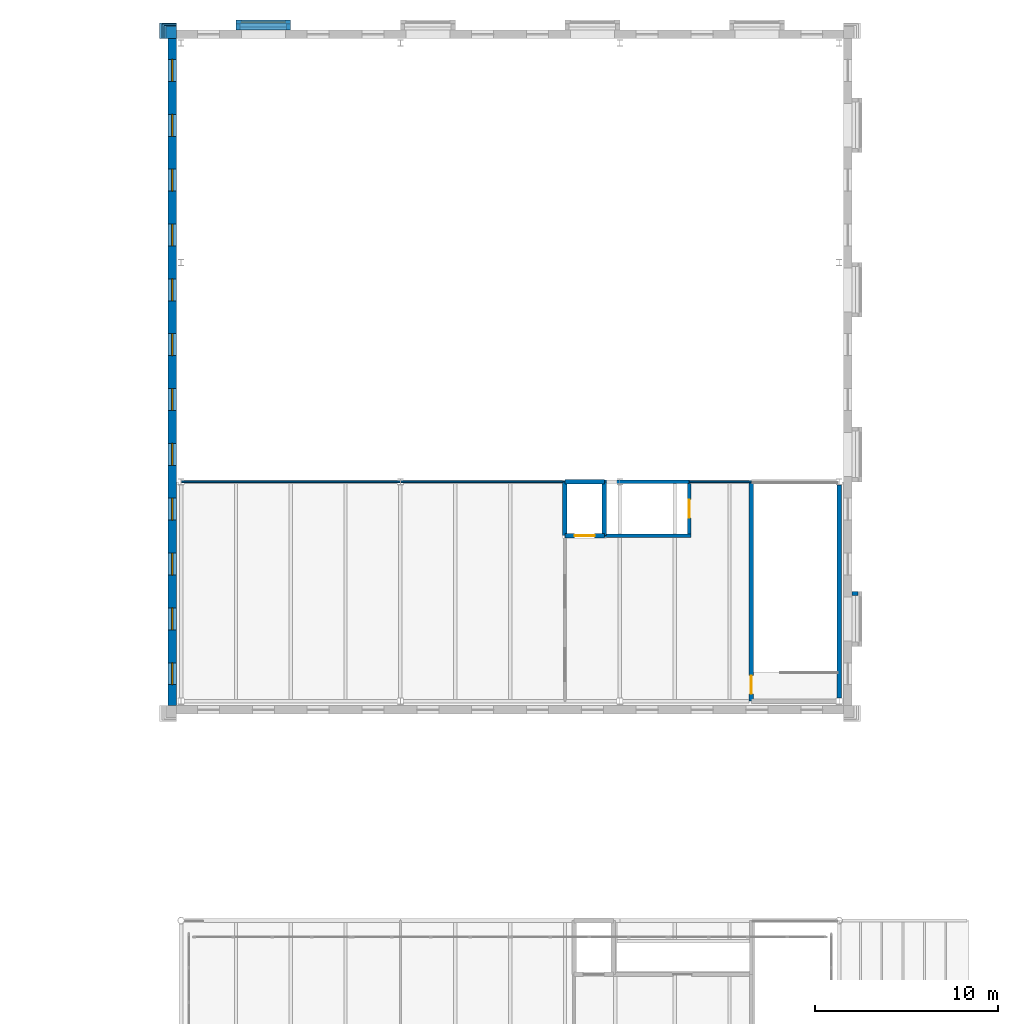
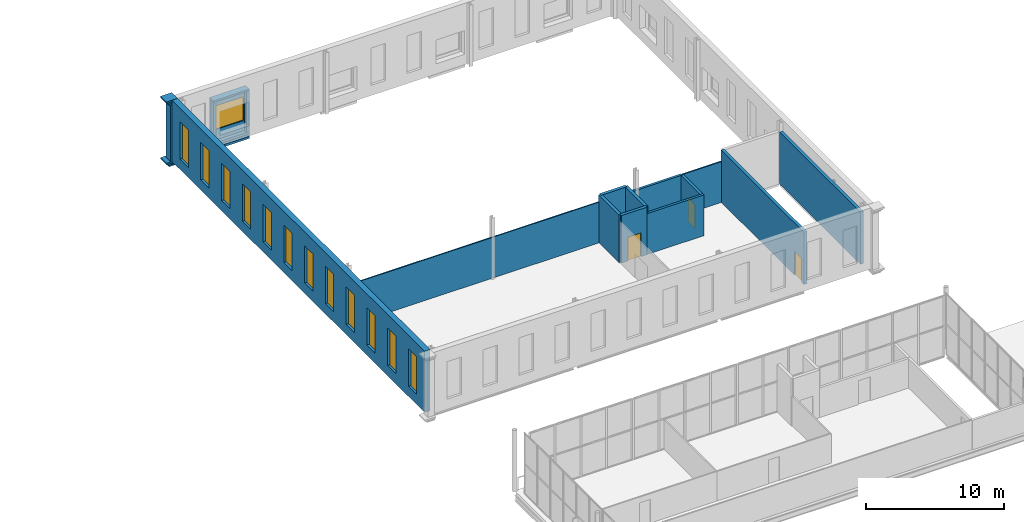
# One storey, part 117 of 170: 27 walls, 13 windows, 3 doors, 16 openings.
"""IFC4 building model written with IfcOpenShell, lengths in metres."""

import ifcopenshell
import ifcopenshell.guid

model = None  # the IFC model being written
_history = None  # IfcOwnerHistory: only IFC2X3 demands one
_inside = {}  # id of a spatial element -> (the spatial element, [elements in it])
_under = {}  # id of a project, library or spatial element -> (it, [spatial elements below it])
_declared = {}  # id of a project -> (the project, [libraries it declares])
_typed = {}  # id of a type object -> (the type object, [elements of that type])
_made_of = {}  # id of a material, layer set ... -> (it, [elements and type objects made of it])


def new_model(schema):
    """Start an empty IFC model of exactly this schema.

    Asked for "IFC4X3", IfcOpenShell would pick the latest addendum, in which some entities
    have other attributes; the version numbers below select the first issue.
    IFC2X3 requires an IfcOwnerHistory on every rooted entity: one is made here for all.
    """
    global model, _history
    if schema == "IFC4X3":
        model = ifcopenshell.file(schema_version=(4, 3, 0, 0))
    else:
        model = ifcopenshell.file(schema=schema)
    _inside.clear()
    _under.clear()
    _declared.clear()
    _typed.clear()
    _made_of.clear()
    _history = None
    if model.schema == "IFC2X3":
        org = make("IfcOrganization", Name="unknown")
        user = make(
            "IfcPersonAndOrganization",
            ThePerson=make("IfcPerson", FamilyName="unknown"),
            TheOrganization=org,
        )
        app = make(
            "IfcApplication",
            ApplicationDeveloper=org,
            Version="unknown",
            ApplicationFullName="unknown",
            ApplicationIdentifier="unknown",
        )
        _history = make(
            "IfcOwnerHistory",
            OwningUser=user,
            OwningApplication=app,
            ChangeAction="ADDED",
            CreationDate=0,
        )
    return model


def make(cls, **values):
    """One entity of the class cls with the attributes given. An attribute that is None is left unset."""
    return model.create_entity(
        cls, **{name: value for name, value in values.items() if value is not None}
    )


def rooted(cls, **values):
    """An entity with a GlobalId (a new one), such as an element, a storey or a relation."""
    return make(cls, GlobalId=ifcopenshell.guid.new(), OwnerHistory=_history, **values)


def si_unit(unit_type, name, prefix=None):
    """IfcSIUnit, for example si_unit("LENGTHUNIT", "METRE", prefix="MILLI")."""
    return make("IfcSIUnit", UnitType=unit_type, Prefix=prefix, Name=name)


def assignment(units):
    """IfcUnitAssignment: the units of a project."""
    return None if units is None else make("IfcUnitAssignment", Units=units)


def point(xyz):
    """IfcCartesianPoint."""
    return None if xyz is None else make("IfcCartesianPoint", Coordinates=xyz)


def direction(xyz):
    """IfcDirection."""
    return None if xyz is None else make("IfcDirection", DirectionRatios=xyz)


def frame(location, z_axis=None, x_axis=None):
    """IfcAxis2Placement3D, a coordinate frame: its origin and axes. An axis left out is left unset."""
    return make(
        "IfcAxis2Placement3D",
        Location=point(location),
        Axis=direction(z_axis),
        RefDirection=direction(x_axis),
    )


def frame_2d(location, x_axis=None):
    """IfcAxis2Placement2D, a coordinate frame in the plane: its origin and x axis."""
    return make(
        "IfcAxis2Placement2D", Location=point(location), RefDirection=direction(x_axis)
    )


def origin():
    """The frame at (0, 0, 0) with its axes left unset."""
    return frame((0.0, 0.0, 0.0))


def place(relative_to, where):
    """IfcLocalPlacement: puts the frame where relative to a parent placement (None: the world)."""
    return make(
        "IfcLocalPlacement", PlacementRelTo=relative_to, RelativePlacement=where
    )


def context(
    kind, dimensions, precision=None, world=None, true_north=None, identifier=None
):
    """IfcGeometricRepresentationContext, for example the 3D "Model" context."""
    return make(
        "IfcGeometricRepresentationContext",
        ContextIdentifier=identifier,
        ContextType=kind,
        CoordinateSpaceDimension=dimensions,
        Precision=precision,
        WorldCoordinateSystem=world,
        TrueNorth=true_north,
    )


def subcontext(parent, identifier, kind, view, scale=None):
    """IfcGeometricRepresentationSubContext, for example "Body" below "Model"."""
    return make(
        "IfcGeometricRepresentationSubContext",
        ContextIdentifier=identifier,
        ContextType=kind,
        ParentContext=parent,
        TargetScale=scale,
        TargetView=view,
    )


def project(units=None, contexts=None):
    """IfcProject with its units and contexts."""
    return rooted(
        "IfcProject",
        Name="project",
        RepresentationContexts=contexts,
        UnitsInContext=assignment(units),
    )


def spatial(cls, under=None, at=None, **own):
    """A site, building, storey or space (cls), placed at a placement, below another one or the project."""
    s = rooted(cls, ObjectPlacement=at, **own)
    if under is not None:
        _under.setdefault(under.id(), (under, []))[1].append(s)
    return s


def profile(cls, at=None, kind="AREA", **sizes):
    """A parametric profile (cls). Its sizes go by their IFC names, for example OverallWidth=200.0."""
    return make(cls, ProfileType=kind, Position=at, **sizes)


def rectangle(**sizes):
    """IfcRectangleProfileDef."""
    return profile("IfcRectangleProfileDef", **sizes)


def extrude(swept, where, along, depth):
    """IfcExtrudedAreaSolid: the profile swept, set in the frame where, extruded along a direction by depth."""
    return make(
        "IfcExtrudedAreaSolid",
        SweptArea=swept,
        Position=where,
        ExtrudedDirection=direction(along),
        Depth=depth,
    )


def shape(context_of_items, identifier, shape_type, items):
    """IfcShapeRepresentation: the items that make up one representation, for example the "Body"."""
    return make(
        "IfcShapeRepresentation",
        ContextOfItems=context_of_items,
        RepresentationIdentifier=identifier,
        RepresentationType=shape_type,
        Items=items,
    )


def material(Name=None, Category=None):
    """IfcMaterial."""
    return make("IfcMaterial", Name=Name, Category=Category)


def layer(
    of_material, thickness, ventilated=None, Name=None, Category=None, Priority=None
):
    """IfcMaterialLayer: one layer of a wall or slab, of a material (None: an air gap)."""
    return make(
        "IfcMaterialLayer",
        Material=of_material,
        LayerThickness=thickness,
        IsVentilated=ventilated,
        Name=Name,
        Category=Category,
        Priority=Priority,
    )


def layer_set(layers, Name=None):
    """IfcMaterialLayerSet."""
    return make("IfcMaterialLayerSet", MaterialLayers=layers, LayerSetName=Name)


def made_of(thing, what):
    """Note that an element or type object is made of a material, layer set ...; save() writes the relation."""
    if what is not None:
        _made_of.setdefault(what.id(), (what, []))[1].append(thing)
    return thing


def type_object(cls, material=None, **own):
    """A type object (cls), such as IfcWallType, which elements share."""
    return made_of(rooted(cls, **own), material)


def element(
    cls,
    number,
    at=None,
    inside=None,
    cuts=None,
    type_object=None,
    material=None,
    context=None,
    identifier="Body",
    shape_type=None,
    held_by="IfcProductDefinitionShape",
    body=None,
    shapes=None,
    **own,
):
    """One element of the class cls, such as IfcWall. Its Tag is "e" and its number.

    at: its placement. inside: the storey or other place that contains it. cuts: it is an
    opening in that element (IfcRelVoidsElement). A single representation is given by context,
    identifier, shape_type and body (its items); several are given by shapes. held_by: the class
    of the entity that holds the representations. save() writes the other relations.
    """
    e = rooted(cls, Tag="e%d" % number, ObjectPlacement=at, **own)
    if body is not None:
        shapes = [shape(context, identifier, shape_type, body)]
    if shapes is not None:
        e.Representation = make(held_by, Representations=shapes)
    if inside is not None:
        _inside.setdefault(inside.id(), (inside, []))[1].append(e)
    if cuts is not None:
        rooted(
            "IfcRelVoidsElement", RelatingBuildingElement=cuts, RelatedOpeningElement=e
        )
    if type_object is not None:
        _typed.setdefault(type_object.id(), (type_object, []))[1].append(e)
    return made_of(e, material)


def fill(opening, filler):
    """IfcRelFillsElement: the door or window that sits in an opening."""
    return rooted(
        "IfcRelFillsElement",
        RelatingOpeningElement=opening,
        RelatedBuildingElement=filler,
    )


def aggregate(whole, parts):
    """IfcRelAggregates: a whole, such as a stair, and the parts it consists of."""
    return rooted("IfcRelAggregates", RelatingObject=whole, RelatedObjects=parts)


def save(model, path):
    """Write the relations noted so far, then the file.

    IfcRelAggregates (storeys below a building ...), IfcRelContainedInSpatialStructure (elements
    in a storey), IfcRelDefinesByType, IfcRelAssociatesMaterial and IfcRelDeclares: one each for
    every whole, place, type object, material and project.
    """
    for whole, parts in _under.values():
        aggregate(whole, parts)
    for where, things in _inside.values():
        rooted(
            "IfcRelContainedInSpatialStructure",
            RelatedElements=things,
            RelatingStructure=where,
        )
    for kind, things in _typed.values():
        rooted("IfcRelDefinesByType", RelatedObjects=things, RelatingType=kind)
    for what, things in _made_of.values():
        rooted("IfcRelAssociatesMaterial", RelatedObjects=things, RelatingMaterial=what)
    for by, libraries in _declared.values():
        rooted("IfcRelDeclares", RelatingContext=by, RelatedDefinitions=libraries)
    model.write(path)


model = new_model("IFC4")

# Units and contexts
model_context = context("Model", 3, precision=1e-05, world=origin(), true_north=direction((0.0, 1.0)))
body_context = subcontext(model_context, "Body", "Model", "MODEL_VIEW")
ifc_project = project(units=[si_unit("LENGTHUNIT", "METRE"), si_unit("AREAUNIT", "SQUARE_METRE"), si_unit("VOLUMEUNIT", "CUBIC_METRE"), si_unit("PLANEANGLEUNIT", "RADIAN"), si_unit("MASSUNIT", "GRAM", prefix="KILO")], contexts=[model_context])

# Site, building, storey
site_placement = place(None, origin())
site = spatial("IfcSite", under=ifc_project, at=site_placement, CompositionType="ELEMENT")
building_placement = place(site_placement, origin())
building = spatial("IfcBuilding", under=site, at=building_placement, Name="Ravi Spectrum Wholesale Market", CompositionType="ELEMENT")
storey_placement = place(building_placement, frame((0.0, 0.0, 5.39990234375)))
storey = spatial("IfcBuildingStorey", under=building, at=storey_placement, Name="L01", CompositionType="ELEMENT", Elevation=5.39990234375)

# Walls
ifc_material_1 = material(Name="Concrete blockwork", Category="masonry")
ifc_layer_1 = layer(ifc_material_1, 0.199951171875)
ifc_layer_set_1 = layer_set([ifc_layer_1], Name="Concrete blockwork")
wall_type_1 = type_object("IfcWallType", Name="Blockwork partition 200 fire", PredefinedType="PARTITIONING", material=ifc_layer_set_1)
wall_1_placement = place(storey_placement, frame((185.14990234375, 207.050048828125, 0.0), z_axis=(0.0, 0.0, 1.0), x_axis=(1.0, 0.0, 0.0)))
element("IfcWall", 1, at=wall_1_placement, inside=storey, type_object=wall_type_1, Name="AU-WL-L01-093", PredefinedType="PARTITIONING", context=body_context, shape_type="SweptSolid", body=[
    extrude(rectangle(XDim=4.75, YDim=0.199951171875, at=frame_2d((2.375, 0.0))), origin(), (0.0, 0.0, 1.0), 3.60009765625),
])
wall_2_placement = place(storey_placement, frame((185.14990234375, 210.0, 0.0), z_axis=(0.0, 0.0, 1.0), x_axis=(1.0, 0.0, 0.0)))
element("IfcWall", 2, at=wall_2_placement, inside=storey, type_object=wall_type_1, Name="AU-WL-L01-095", PredefinedType="PARTITIONING", context=body_context, shape_type="SweptSolid", body=[
    extrude(rectangle(XDim=4.650146484375, YDim=0.199951171875, at=frame_2d((2.3251953125, 0.0))), origin(), (0.0, 0.0, 1.0), 3.60009765625),
])

# Wall, opening, door
wall_3_placement = place(storey_placement, frame((189.800048828125, 207.14990234375, 0.0), z_axis=(0.0, 0.0, 1.0), x_axis=(0.0, 1.0, 0.0)))
wall_3 = element("IfcWall", 3, at=wall_3_placement, inside=storey, type_object=wall_type_1, Name="AU-WL-L01-098", PredefinedType="PARTITIONING", context=body_context, shape_type="SweptSolid", body=[
    extrude(rectangle(XDim=2.75, YDim=0.199951171875, at=frame_2d((1.375, 0.0))), origin(), (0.0, 0.0, 1.0), 3.60009765625),
])
opening_1_placement = place(wall_3_placement, frame((0.875, 0.0, 0.0)))
opening_1 = element("IfcOpeningElement", 4, at=opening_1_placement, cuts=wall_3, Name="Opening D426", PredefinedType="OPENING", context=body_context, shape_type="SweptSolid", body=[
    extrude(rectangle(XDim=1.0, YDim=2.10009765625, at=frame_2d((0.5, 1.050048828125))), frame((0.0, 0.10986328125, 0.0), z_axis=(0.0, -1.0, 0.0), x_axis=(1.0, 0.0, 0.0)), (0.0, 0.0, 1.0), 0.219970703125),
])
ifc_material_2 = material(Name="Steel door", Category="steel")
door_type_1 = type_object("IfcDoorType", Name="Plant room door 1000 x 2100", OperationType="SINGLE_SWING_LEFT", PredefinedType="DOOR", material=ifc_material_2)
door_1_placement = place(opening_1_placement, origin())
door_1 = element("IfcDoor", 5, at=door_1_placement, inside=storey, type_object=door_type_1, Name="Riser access door D426", OperationType="SINGLE_SWING_LEFT", OverallHeight=2.10009765625, OverallWidth=1.0, PredefinedType="DOOR", context=body_context, shape_type="SweptSolid", body=[
    extrude(rectangle(XDim=1.0, YDim=2.10009765625, at=frame_2d((0.5, 1.050048828125))), frame((0.0, 0.02490234375, 0.0), z_axis=(0.0, -1.0, 0.0), x_axis=(1.0, 0.0, 0.0)), (0.0, 0.0, 1.0), 0.050048828125),
])
fill(opening_1, door_1)

# Wall, openings, windows
ifc_material_3 = material(Name="Clinker brickwork", Category="masonry")
ifc_layer_2 = layer(ifc_material_3, 0.4599609375)
ifc_layer_set_2 = layer_set([ifc_layer_2], Name="Clinker brickwork")
wall_type_2 = type_object("IfcWallType", Name="Brick 460 pier wall", PredefinedType="SOLIDWALL", material=ifc_layer_set_2)
wall_4_placement = place(storey_placement, frame((161.52001953125, 234.25, 0.0), z_axis=(0.0, 0.0, 1.0), x_axis=(0.0, -1.0, 0.0)))
wall_4 = element("IfcWall", 6, at=wall_4_placement, inside=storey, type_object=wall_type_2, Name="AU-WL-L01-092", PredefinedType="SOLIDWALL", context=body_context, shape_type="SweptSolid", body=[
    extrude(rectangle(XDim=36.5, YDim=0.4599609375, at=frame_2d((18.25, 0.0))), origin(), (0.0, 0.0, 1.0), 5.400146484375),
])
opening_2_placement = place(wall_4_placement, frame((1.14990234375, 0.0, 0.89990234375)))
opening_2 = element("IfcOpeningElement", 7, at=opening_2_placement, cuts=wall_4, Name="Opening W2469", PredefinedType="OPENING", context=body_context, shape_type="SweptSolid", body=[
    extrude(rectangle(XDim=1.199951171875, YDim=3.300048828125, at=frame_2d((0.60009765625, 1.64990234375))), frame((0.0, 0.239990234375, 0.0), z_axis=(0.0, -1.0, 0.0), x_axis=(1.0, 0.0, 0.0)), (0.0, 0.0, 1.0), 0.47998046875),
])
opening_3_placement = place(wall_4_placement, frame((4.14990234375, 0.0, 0.89990234375)))
opening_3 = element("IfcOpeningElement", 8, at=opening_3_placement, cuts=wall_4, Name="Opening W2470", PredefinedType="OPENING", context=body_context, shape_type="SweptSolid", body=[
    extrude(rectangle(XDim=1.199951171875, YDim=3.300048828125, at=frame_2d((0.60009765625, 1.64990234375))), frame((0.0, 0.239990234375, 0.0), z_axis=(0.0, -1.0, 0.0), x_axis=(1.0, 0.0, 0.0)), (0.0, 0.0, 1.0), 0.47998046875),
])
opening_4_placement = place(wall_4_placement, frame((7.14990234375, 0.0, 0.89990234375)))
opening_4 = element("IfcOpeningElement", 9, at=opening_4_placement, cuts=wall_4, Name="Opening W2471", PredefinedType="OPENING", context=body_context, shape_type="SweptSolid", body=[
    extrude(rectangle(XDim=1.199951171875, YDim=3.300048828125, at=frame_2d((0.60009765625, 1.64990234375))), frame((0.0, 0.239990234375, 0.0), z_axis=(0.0, -1.0, 0.0), x_axis=(1.0, 0.0, 0.0)), (0.0, 0.0, 1.0), 0.47998046875),
])
opening_5_placement = place(wall_4_placement, frame((10.14990234375, 0.0, 0.89990234375)))
opening_5 = element("IfcOpeningElement", 10, at=opening_5_placement, cuts=wall_4, Name="Opening W2472", PredefinedType="OPENING", context=body_context, shape_type="SweptSolid", body=[
    extrude(rectangle(XDim=1.199951171875, YDim=3.300048828125, at=frame_2d((0.60009765625, 1.64990234375))), frame((0.0, 0.239990234375, 0.0), z_axis=(0.0, -1.0, 0.0), x_axis=(1.0, 0.0, 0.0)), (0.0, 0.0, 1.0), 0.47998046875),
])
opening_6_placement = place(wall_4_placement, frame((13.14990234375, 0.0, 0.89990234375)))
opening_6 = element("IfcOpeningElement", 11, at=opening_6_placement, cuts=wall_4, Name="Opening W2473", PredefinedType="OPENING", context=body_context, shape_type="SweptSolid", body=[
    extrude(rectangle(XDim=1.199951171875, YDim=3.300048828125, at=frame_2d((0.60009765625, 1.64990234375))), frame((0.0, 0.239990234375, 0.0), z_axis=(0.0, -1.0, 0.0), x_axis=(1.0, 0.0, 0.0)), (0.0, 0.0, 1.0), 0.47998046875),
])
opening_7_placement = place(wall_4_placement, frame((16.14990234375, 0.0, 0.89990234375)))
opening_7 = element("IfcOpeningElement", 12, at=opening_7_placement, cuts=wall_4, Name="Opening W2474", PredefinedType="OPENING", context=body_context, shape_type="SweptSolid", body=[
    extrude(rectangle(XDim=1.199951171875, YDim=3.300048828125, at=frame_2d((0.60009765625, 1.64990234375))), frame((0.0, 0.239990234375, 0.0), z_axis=(0.0, -1.0, 0.0), x_axis=(1.0, 0.0, 0.0)), (0.0, 0.0, 1.0), 0.47998046875),
])
opening_8_placement = place(wall_4_placement, frame((19.14990234375, 0.0, 0.89990234375)))
opening_8 = element("IfcOpeningElement", 13, at=opening_8_placement, cuts=wall_4, Name="Opening W2475", PredefinedType="OPENING", context=body_context, shape_type="SweptSolid", body=[
    extrude(rectangle(XDim=1.199951171875, YDim=3.300048828125, at=frame_2d((0.60009765625, 1.64990234375))), frame((0.0, 0.239990234375, 0.0), z_axis=(0.0, -1.0, 0.0), x_axis=(1.0, 0.0, 0.0)), (0.0, 0.0, 1.0), 0.47998046875),
])
opening_9_placement = place(wall_4_placement, frame((22.14990234375, 0.0, 0.89990234375)))
opening_9 = element("IfcOpeningElement", 14, at=opening_9_placement, cuts=wall_4, Name="Opening W2476", PredefinedType="OPENING", context=body_context, shape_type="SweptSolid", body=[
    extrude(rectangle(XDim=1.199951171875, YDim=3.300048828125, at=frame_2d((0.60009765625, 1.64990234375))), frame((0.0, 0.239990234375, 0.0), z_axis=(0.0, -1.0, 0.0), x_axis=(1.0, 0.0, 0.0)), (0.0, 0.0, 1.0), 0.47998046875),
])
opening_10_placement = place(wall_4_placement, frame((25.14990234375, 0.0, 0.89990234375)))
opening_10 = element("IfcOpeningElement", 15, at=opening_10_placement, cuts=wall_4, Name="Opening W2477", PredefinedType="OPENING", context=body_context, shape_type="SweptSolid", body=[
    extrude(rectangle(XDim=1.199951171875, YDim=3.300048828125, at=frame_2d((0.60009765625, 1.64990234375))), frame((0.0, 0.239990234375, 0.0), z_axis=(0.0, -1.0, 0.0), x_axis=(1.0, 0.0, 0.0)), (0.0, 0.0, 1.0), 0.47998046875),
])
opening_11_placement = place(wall_4_placement, frame((28.14990234375, 0.0, 0.89990234375)))
opening_11 = element("IfcOpeningElement", 16, at=opening_11_placement, cuts=wall_4, Name="Opening W2478", PredefinedType="OPENING", context=body_context, shape_type="SweptSolid", body=[
    extrude(rectangle(XDim=1.199951171875, YDim=3.300048828125, at=frame_2d((0.60009765625, 1.64990234375))), frame((0.0, 0.239990234375, 0.0), z_axis=(0.0, -1.0, 0.0), x_axis=(1.0, 0.0, 0.0)), (0.0, 0.0, 1.0), 0.47998046875),
])
opening_12_placement = place(wall_4_placement, frame((31.14990234375, 0.0, 0.89990234375)))
opening_12 = element("IfcOpeningElement", 17, at=opening_12_placement, cuts=wall_4, Name="Opening W2479", PredefinedType="OPENING", context=body_context, shape_type="SweptSolid", body=[
    extrude(rectangle(XDim=1.199951171875, YDim=3.300048828125, at=frame_2d((0.60009765625, 1.64990234375))), frame((0.0, 0.239990234375, 0.0), z_axis=(0.0, -1.0, 0.0), x_axis=(1.0, 0.0, 0.0)), (0.0, 0.0, 1.0), 0.47998046875),
])
opening_13_placement = place(wall_4_placement, frame((34.14990234375, 0.0, 0.89990234375)))
opening_13 = element("IfcOpeningElement", 18, at=opening_13_placement, cuts=wall_4, Name="Opening W2480", PredefinedType="OPENING", context=body_context, shape_type="SweptSolid", body=[
    extrude(rectangle(XDim=1.199951171875, YDim=3.300048828125, at=frame_2d((0.60009765625, 1.64990234375))), frame((0.0, 0.239990234375, 0.0), z_axis=(0.0, -1.0, 0.0), x_axis=(1.0, 0.0, 0.0)), (0.0, 0.0, 1.0), 0.47998046875),
])
ifc_material_4 = material(Name="Steel window frame", Category="steel")
window_type_1 = type_object("IfcWindowType", Name="Tall pier window 1200 x 3300", PartitioningType="SINGLE_PANEL", PredefinedType="WINDOW", material=ifc_material_4)
window_1_placement = place(opening_2_placement, origin())
window_1 = element("IfcWindow", 19, at=window_1_placement, inside=storey, type_object=window_type_1, Name="Window W2469", OverallHeight=3.300048828125, OverallWidth=1.199951171875, PartitioningType="SINGLE_PANEL", PredefinedType="WINDOW", context=body_context, shape_type="SweptSolid", body=[
    extrude(rectangle(XDim=1.199951171875, YDim=3.300048828125, at=frame_2d((0.60009765625, 1.64990234375))), frame((0.0, 0.030029296875, 0.0), z_axis=(0.0, -1.0, 0.0), x_axis=(1.0, 0.0, 0.0)), (0.0, 0.0, 1.0), 0.06005859375),
])
fill(opening_2, window_1)
window_2_placement = place(opening_3_placement, origin())
window_2 = element("IfcWindow", 20, at=window_2_placement, inside=storey, type_object=window_type_1, Name="Window W2470", OverallHeight=3.300048828125, OverallWidth=1.199951171875, PartitioningType="SINGLE_PANEL", PredefinedType="WINDOW", context=body_context, shape_type="SweptSolid", body=[
    extrude(rectangle(XDim=1.199951171875, YDim=3.300048828125, at=frame_2d((0.60009765625, 1.64990234375))), frame((0.0, 0.030029296875, 0.0), z_axis=(0.0, -1.0, 0.0), x_axis=(1.0, 0.0, 0.0)), (0.0, 0.0, 1.0), 0.06005859375),
])
fill(opening_3, window_2)
window_3_placement = place(opening_4_placement, origin())
window_3 = element("IfcWindow", 21, at=window_3_placement, inside=storey, type_object=window_type_1, Name="Window W2471", OverallHeight=3.300048828125, OverallWidth=1.199951171875, PartitioningType="SINGLE_PANEL", PredefinedType="WINDOW", context=body_context, shape_type="SweptSolid", body=[
    extrude(rectangle(XDim=1.199951171875, YDim=3.300048828125, at=frame_2d((0.60009765625, 1.64990234375))), frame((0.0, 0.030029296875, 0.0), z_axis=(0.0, -1.0, 0.0), x_axis=(1.0, 0.0, 0.0)), (0.0, 0.0, 1.0), 0.06005859375),
])
fill(opening_4, window_3)
window_4_placement = place(opening_5_placement, origin())
window_4 = element("IfcWindow", 22, at=window_4_placement, inside=storey, type_object=window_type_1, Name="Window W2472", OverallHeight=3.300048828125, OverallWidth=1.199951171875, PartitioningType="SINGLE_PANEL", PredefinedType="WINDOW", context=body_context, shape_type="SweptSolid", body=[
    extrude(rectangle(XDim=1.199951171875, YDim=3.300048828125, at=frame_2d((0.60009765625, 1.64990234375))), frame((0.0, 0.030029296875, 0.0), z_axis=(0.0, -1.0, 0.0), x_axis=(1.0, 0.0, 0.0)), (0.0, 0.0, 1.0), 0.06005859375),
])
fill(opening_5, window_4)
window_5_placement = place(opening_6_placement, origin())
window_5 = element("IfcWindow", 23, at=window_5_placement, inside=storey, type_object=window_type_1, Name="Window W2473", OverallHeight=3.300048828125, OverallWidth=1.199951171875, PartitioningType="SINGLE_PANEL", PredefinedType="WINDOW", context=body_context, shape_type="SweptSolid", body=[
    extrude(rectangle(XDim=1.199951171875, YDim=3.300048828125, at=frame_2d((0.60009765625, 1.64990234375))), frame((0.0, 0.030029296875, 0.0), z_axis=(0.0, -1.0, 0.0), x_axis=(1.0, 0.0, 0.0)), (0.0, 0.0, 1.0), 0.06005859375),
])
fill(opening_6, window_5)
window_6_placement = place(opening_7_placement, origin())
window_6 = element("IfcWindow", 24, at=window_6_placement, inside=storey, type_object=window_type_1, Name="Window W2474", OverallHeight=3.300048828125, OverallWidth=1.199951171875, PartitioningType="SINGLE_PANEL", PredefinedType="WINDOW", context=body_context, shape_type="SweptSolid", body=[
    extrude(rectangle(XDim=1.199951171875, YDim=3.300048828125, at=frame_2d((0.60009765625, 1.64990234375))), frame((0.0, 0.030029296875, 0.0), z_axis=(0.0, -1.0, 0.0), x_axis=(1.0, 0.0, 0.0)), (0.0, 0.0, 1.0), 0.06005859375),
])
fill(opening_7, window_6)
window_7_placement = place(opening_8_placement, origin())
window_7 = element("IfcWindow", 25, at=window_7_placement, inside=storey, type_object=window_type_1, Name="Window W2475", OverallHeight=3.300048828125, OverallWidth=1.199951171875, PartitioningType="SINGLE_PANEL", PredefinedType="WINDOW", context=body_context, shape_type="SweptSolid", body=[
    extrude(rectangle(XDim=1.199951171875, YDim=3.300048828125, at=frame_2d((0.60009765625, 1.64990234375))), frame((0.0, 0.030029296875, 0.0), z_axis=(0.0, -1.0, 0.0), x_axis=(1.0, 0.0, 0.0)), (0.0, 0.0, 1.0), 0.06005859375),
])
fill(opening_8, window_7)
window_8_placement = place(opening_9_placement, origin())
window_8 = element("IfcWindow", 26, at=window_8_placement, inside=storey, type_object=window_type_1, Name="Window W2476", OverallHeight=3.300048828125, OverallWidth=1.199951171875, PartitioningType="SINGLE_PANEL", PredefinedType="WINDOW", context=body_context, shape_type="SweptSolid", body=[
    extrude(rectangle(XDim=1.199951171875, YDim=3.300048828125, at=frame_2d((0.60009765625, 1.64990234375))), frame((0.0, 0.030029296875, 0.0), z_axis=(0.0, -1.0, 0.0), x_axis=(1.0, 0.0, 0.0)), (0.0, 0.0, 1.0), 0.06005859375),
])
fill(opening_9, window_8)
window_9_placement = place(opening_10_placement, origin())
window_9 = element("IfcWindow", 27, at=window_9_placement, inside=storey, type_object=window_type_1, Name="Window W2477", OverallHeight=3.300048828125, OverallWidth=1.199951171875, PartitioningType="SINGLE_PANEL", PredefinedType="WINDOW", context=body_context, shape_type="SweptSolid", body=[
    extrude(rectangle(XDim=1.199951171875, YDim=3.300048828125, at=frame_2d((0.60009765625, 1.64990234375))), frame((0.0, 0.030029296875, 0.0), z_axis=(0.0, -1.0, 0.0), x_axis=(1.0, 0.0, 0.0)), (0.0, 0.0, 1.0), 0.06005859375),
])
fill(opening_10, window_9)
window_10_placement = place(opening_11_placement, origin())
window_10 = element("IfcWindow", 28, at=window_10_placement, inside=storey, type_object=window_type_1, Name="Window W2478", OverallHeight=3.300048828125, OverallWidth=1.199951171875, PartitioningType="SINGLE_PANEL", PredefinedType="WINDOW", context=body_context, shape_type="SweptSolid", body=[
    extrude(rectangle(XDim=1.199951171875, YDim=3.300048828125, at=frame_2d((0.60009765625, 1.64990234375))), frame((0.0, 0.030029296875, 0.0), z_axis=(0.0, -1.0, 0.0), x_axis=(1.0, 0.0, 0.0)), (0.0, 0.0, 1.0), 0.06005859375),
])
fill(opening_11, window_10)
window_11_placement = place(opening_12_placement, origin())
window_11 = element("IfcWindow", 29, at=window_11_placement, inside=storey, type_object=window_type_1, Name="Window W2479", OverallHeight=3.300048828125, OverallWidth=1.199951171875, PartitioningType="SINGLE_PANEL", PredefinedType="WINDOW", context=body_context, shape_type="SweptSolid", body=[
    extrude(rectangle(XDim=1.199951171875, YDim=3.300048828125, at=frame_2d((0.60009765625, 1.64990234375))), frame((0.0, 0.030029296875, 0.0), z_axis=(0.0, -1.0, 0.0), x_axis=(1.0, 0.0, 0.0)), (0.0, 0.0, 1.0), 0.06005859375),
])
fill(opening_12, window_11)
window_12_placement = place(opening_13_placement, origin())
window_12 = element("IfcWindow", 30, at=window_12_placement, inside=storey, type_object=window_type_1, Name="Window W2480", OverallHeight=3.300048828125, OverallWidth=1.199951171875, PartitioningType="SINGLE_PANEL", PredefinedType="WINDOW", context=body_context, shape_type="SweptSolid", body=[
    extrude(rectangle(XDim=1.199951171875, YDim=3.300048828125, at=frame_2d((0.60009765625, 1.64990234375))), frame((0.0, 0.030029296875, 0.0), z_axis=(0.0, -1.0, 0.0), x_axis=(1.0, 0.0, 0.0)), (0.0, 0.0, 1.0), 0.06005859375),
])
fill(opening_13, window_12)

# Walls
ifc_material_5 = material(Name="Clinker brickwork", Category="masonry")
ifc_layer_3 = layer(ifc_material_5, 0.715087890625)
ifc_layer_set_3 = layer_set([ifc_layer_3], Name="Clinker brickwork")
wall_type_3 = type_object("IfcWallType", Name="Brick corbel 715", PredefinedType="SOLIDWALL", material=ifc_layer_set_3)
wall_5_placement = place(storey_placement, frame((161.75, 234.607421875, -0.389892578125), z_axis=(0.0, 0.0, 1.0), x_axis=(-1.0, 0.0, 0.0)))
element("IfcWall", 31, at=wall_5_placement, inside=storey, type_object=wall_type_3, Name="AU-WL-L01-014", PredefinedType="SOLIDWALL", context=body_context, shape_type="SweptSolid", body=[
    extrude(rectangle(XDim=0.68994140625, YDim=0.715087890625, at=frame_2d((0.344970703125, 0.0))), origin(), (0.0, 0.0, 1.0), 0.1298828125),
])
wall_6_placement = place(storey_placement, frame((161.75, 234.607421875, 5.010009765625), z_axis=(0.0, 0.0, 1.0), x_axis=(-1.0, 0.0, 0.0)))
element("IfcWall", 32, at=wall_6_placement, inside=storey, type_object=wall_type_3, Name="AU-WL-L01-030", PredefinedType="SOLIDWALL", context=body_context, shape_type="SweptSolid", body=[
    extrude(rectangle(XDim=0.68994140625, YDim=0.715087890625, at=frame_2d((0.344970703125, 0.0))), origin(), (0.0, 0.0, 1.0), 0.130126953125),
])
ifc_material_6 = material(Name="Clinker brickwork", Category="masonry")
ifc_layer_4 = layer(ifc_material_6, 0.784912109375)
ifc_layer_set_4 = layer_set([ifc_layer_4], Name="Clinker brickwork")
wall_type_4 = type_object("IfcWallType", Name="Brick corbel 785", PredefinedType="SOLIDWALL", material=ifc_layer_set_4)
wall_7_placement = place(storey_placement, frame((161.75, 234.642578125, -0.260009765625), z_axis=(0.0, 0.0, 1.0), x_axis=(-1.0, 0.0, 0.0)))
element("IfcWall", 33, at=wall_7_placement, inside=storey, type_object=wall_type_4, Name="AU-WL-L01-015", PredefinedType="SOLIDWALL", context=body_context, shape_type="SweptSolid", body=[
    extrude(rectangle(XDim=0.804931640625, YDim=0.784912109375, at=frame_2d((0.40234375, 0.0))), origin(), (0.0, 0.0, 1.0), 0.130126953125),
])
wall_8_placement = place(storey_placement, frame((161.75, 234.642578125, 5.14013671875), z_axis=(0.0, 0.0, 1.0), x_axis=(-1.0, 0.0, 0.0)))
element("IfcWall", 34, at=wall_8_placement, inside=storey, type_object=wall_type_4, Name="AU-WL-L01-031", PredefinedType="SOLIDWALL", context=body_context, shape_type="SweptSolid", body=[
    extrude(rectangle(XDim=0.804931640625, YDim=0.784912109375, at=frame_2d((0.40234375, 0.0))), origin(), (0.0, 0.0, 1.0), 0.1298828125),
])
ifc_material_7 = material(Name="Clinker brickwork", Category="masonry")
ifc_layer_5 = layer(ifc_material_7, 0.85498046875)
ifc_layer_set_5 = layer_set([ifc_layer_5], Name="Clinker brickwork")
wall_type_5 = type_object("IfcWallType", Name="Brick corbel 855", PredefinedType="SOLIDWALL", material=ifc_layer_set_5)
wall_9_placement = place(storey_placement, frame((161.75, 234.677490234375, -0.1298828125), z_axis=(0.0, 0.0, 1.0), x_axis=(-1.0, 0.0, 0.0)))
element("IfcWall", 35, at=wall_9_placement, inside=storey, type_object=wall_type_5, Name="AU-WL-L01-016", PredefinedType="SOLIDWALL", context=body_context, shape_type="SweptSolid", body=[
    extrude(rectangle(XDim=0.919921875, YDim=0.85498046875, at=frame_2d((0.4599609375, 0.0))), origin(), (0.0, 0.0, 1.0), 0.1298828125),
])
wall_10_placement = place(storey_placement, frame((161.75, 234.677490234375, 5.27001953125), z_axis=(0.0, 0.0, 1.0), x_axis=(-1.0, 0.0, 0.0)))
element("IfcWall", 36, at=wall_10_placement, inside=storey, type_object=wall_type_5, Name="AU-WL-L01-032", PredefinedType="SOLIDWALL", context=body_context, shape_type="SweptSolid", body=[
    extrude(rectangle(XDim=0.919921875, YDim=0.85498046875, at=frame_2d((0.4599609375, 0.0))), origin(), (0.0, 0.0, 1.0), 0.130126953125),
])
ifc_material_8 = material(Name="Clinker brickwork", Category="masonry")
ifc_layer_6 = layer(ifc_material_8, 0.179931640625)
ifc_layer_set_6 = layer_set([ifc_layer_6], Name="Clinker brickwork")
wall_type_6 = type_object("IfcWallType", Name="Brick corbel block 180", PredefinedType="SOLIDWALL", material=ifc_layer_set_6)
wall_11_placement = place(storey_placement, frame((168.0, 234.800048828125, -0.599853515625), z_axis=(0.0, 0.0, 1.0), x_axis=(-1.0, 0.0, 0.0)))
element("IfcWall", 37, at=wall_11_placement, inside=storey, type_object=wall_type_6, Name="AU-WL-L01-085", PredefinedType="SOLIDWALL", context=body_context, shape_type="SweptSolid", body=[
    extrude(rectangle(XDim=3.0, YDim=0.179931640625, at=frame_2d((1.5, 0.0))), origin(), (0.0, 0.0, 1.0), 0.199951171875),
])
ifc_material_9 = material(Name="Clinker brickwork", Category="masonry")
ifc_layer_7 = layer(ifc_material_9, 0.3701171875)
ifc_layer_set_7 = layer_set([ifc_layer_7], Name="Clinker brickwork")
wall_type_7 = type_object("IfcWallType", Name="Brick corbel block 370", PredefinedType="SOLIDWALL", material=ifc_layer_set_7)
wall_12_placement = place(storey_placement, frame((168.0, 234.89501953125, -0.39990234375), z_axis=(0.0, 0.0, 1.0), x_axis=(-1.0, 0.0, 0.0)))
element("IfcWall", 38, at=wall_12_placement, inside=storey, type_object=wall_type_7, Name="AU-WL-L01-086", PredefinedType="SOLIDWALL", context=body_context, shape_type="SweptSolid", body=[
    extrude(rectangle(XDim=3.0, YDim=0.3701171875, at=frame_2d((1.5, 0.0))), origin(), (0.0, 0.0, 1.0), 0.199951171875),
])
ifc_material_10 = material(Name="Clinker brickwork", Category="masonry")
ifc_layer_8 = layer(ifc_material_10, 0.550048828125)
ifc_layer_set_8 = layer_set([ifc_layer_8], Name="Clinker brickwork")
wall_type_8 = type_object("IfcWallType", Name="Brick corbel block 550", PredefinedType="SOLIDWALL", material=ifc_layer_set_8)
wall_13_placement = place(storey_placement, frame((168.0, 234.985107421875, -0.199951171875), z_axis=(0.0, 0.0, 1.0), x_axis=(-1.0, 0.0, 0.0)))
element("IfcWall", 39, at=wall_13_placement, inside=storey, type_object=wall_type_8, Name="AU-WL-L01-087", PredefinedType="SOLIDWALL", context=body_context, shape_type="SweptSolid", body=[
    extrude(rectangle(XDim=3.0, YDim=0.550048828125, at=frame_2d((1.5, 0.0))), origin(), (0.0, 0.0, 1.0), 0.199951171875),
])
ifc_material_11 = material(Name="Facing brickwork", Category="masonry")
ifc_layer_9 = layer(ifc_material_11, 0.22998046875)
ifc_layer_set_9 = layer_set([ifc_layer_9], Name="Facing brickwork")
wall_type_9 = type_object("IfcWallType", Name="Brick oriel 230", PredefinedType="SOLIDWALL", material=ifc_layer_set_9)
wall_14_placement = place(storey_placement, frame((198.7099609375, 203.885009765625, 0.0), z_axis=(0.0, 0.0, 1.0), x_axis=(1.0, 0.0, 0.0)))
element("IfcWall", 40, at=wall_14_placement, inside=storey, type_object=wall_type_9, Name="AU-WL-L01-040", PredefinedType="SOLIDWALL", context=body_context, shape_type="SweptSolid", body=[
    extrude(rectangle(XDim=0.320068359375, YDim=0.22998046875, at=frame_2d((0.16015625, 0.0))), origin(), (0.0, 0.0, 1.0), 3.60009765625),
])

# Wall, opening, window
wall_15_placement = place(storey_placement, frame((168.0, 235.14501953125, 0.0), z_axis=(0.0, 0.0, 1.0), x_axis=(-1.0, 0.0, 0.0)))
wall_15 = element("IfcWall", 41, at=wall_15_placement, inside=storey, type_object=wall_type_9, Name="AU-WL-L01-088", PredefinedType="SOLIDWALL", context=body_context, shape_type="SweptSolid", body=[
    extrude(rectangle(XDim=3.0, YDim=0.22998046875, at=frame_2d((1.5, 0.0))), origin(), (0.0, 0.0, 1.0), 3.60009765625),
])
opening_14_placement = place(wall_15_placement, frame((0.300048828125, 0.0, 0.89990234375)))
opening_14 = element("IfcOpeningElement", 42, at=opening_14_placement, cuts=wall_15, Name="Opening W2467", PredefinedType="OPENING", context=body_context, shape_type="SweptSolid", body=[
    extrude(rectangle(XDim=2.39990234375, YDim=2.10009765625, at=frame_2d((1.199951171875, 1.050048828125))), frame((0.0, 0.125, 0.0), z_axis=(0.0, -1.0, 0.0), x_axis=(1.0, 0.0, 0.0)), (0.0, 0.0, 1.0), 0.25),
])
ifc_material_12 = material(Name="Steel window frame", Category="steel")
window_type_2 = type_object("IfcWindowType", Name="Oriel window 2400 x 2100", PartitioningType="SINGLE_PANEL", PredefinedType="WINDOW", material=ifc_material_12)
window_13_placement = place(opening_14_placement, origin())
window_13 = element("IfcWindow", 43, at=window_13_placement, inside=storey, type_object=window_type_2, Name="Window W2467", OverallHeight=2.10009765625, OverallWidth=2.39990234375, PartitioningType="SINGLE_PANEL", PredefinedType="WINDOW", context=body_context, shape_type="SweptSolid", body=[
    extrude(rectangle(XDim=2.39990234375, YDim=2.10009765625, at=frame_2d((1.199951171875, 1.050048828125))), frame((0.0, 0.030029296875, 0.0), z_axis=(0.0, -1.0, 0.0), x_axis=(1.0, 0.0, 0.0)), (0.0, 0.0, 1.0), 0.06005859375),
])
fill(opening_14, window_13)

# Walls
for number, where, z_axis, x_axis, name in (
    (44, (167.885009765625, 234.7099609375, 0.0), (0.0, 0.0, 1.0), (0.0, 1.0, 0.0), "AU-WL-L01-089"),
    (45, (165.114990234375, 234.7099609375, 0.0), (0.0, 0.0, 1.0), (0.0, 1.0, 0.0), "AU-WL-L01-090"),
):
    element("IfcWall", number, at=place(storey_placement, frame(where, z_axis=z_axis, x_axis=x_axis)), inside=storey, type_object=wall_type_9, Name=name, PredefinedType="SOLIDWALL", context=body_context, shape_type="SweptSolid", body=[
        extrude(rectangle(XDim=0.320068359375, YDim=0.22998046875, at=frame_2d((0.16015625, 0.0))), origin(), (0.0, 0.0, 1.0), 3.60009765625),
    ])
ifc_material_13 = material(Name="Clinker brickwork", Category="masonry")
ifc_layer_10 = layer(ifc_material_13, 0.64501953125)
ifc_layer_set_10 = layer_set([ifc_layer_10], Name="Clinker brickwork")
wall_type_10 = type_object("IfcWallType", Name="Brick pier 645", PredefinedType="SOLIDWALL", material=ifc_layer_set_10)
wall_16_placement = place(storey_placement, frame((161.75, 234.572509765625, 0.0), z_axis=(0.0, 0.0, 1.0), x_axis=(-1.0, 0.0, 0.0)))
element("IfcWall", 46, at=wall_16_placement, inside=storey, type_object=wall_type_10, Name="AU-WL-L01-029", PredefinedType="SOLIDWALL", context=body_context, shape_type="SweptSolid", body=[
    extrude(rectangle(XDim=0.574951171875, YDim=0.64501953125, at=frame_2d((0.28759765625, 0.0))), origin(), (0.0, 0.0, 1.0), 5.010009765625),
])
ifc_material_14 = material(Name="Concrete C35/45", Category="concrete")
ifc_layer_11 = layer(ifc_material_14, 0.25)
ifc_layer_set_11 = layer_set([ifc_layer_11], Name="Concrete C35/45")
wall_type_11 = type_object("IfcWallType", Name="Concrete core wall 250", PredefinedType="SHEAR", material=ifc_layer_set_11)
wall_17_placement = place(storey_placement, frame((198.0, 198.169921875, 0.0), z_axis=(0.0, 0.0, 1.0), x_axis=(0.0, 1.0, 0.0)))
element("IfcWall", 47, at=wall_17_placement, inside=storey, type_object=wall_type_11, Name="Stair core wall Stair S-AU-1", PredefinedType="SHEAR", context=body_context, shape_type="SweptSolid", body=[
    extrude(rectangle(XDim=11.66015625, YDim=0.25, at=frame_2d((5.830078125, 0.0))), origin(), (0.0, 0.0, 1.0), 4.60009765625),
])

# Wall, opening, door
wall_18_placement = place(storey_placement, frame((193.199951171875, 198.0, 0.0), z_axis=(0.0, 0.0, 1.0), x_axis=(0.0, 1.0, 0.0)))
wall_18 = element("IfcWall", 48, at=wall_18_placement, inside=storey, type_object=wall_type_11, Name="Stair core wall Stair S-AU-1", PredefinedType="SHEAR", context=body_context, shape_type="SweptSolid", body=[
    extrude(rectangle(XDim=12.0, YDim=0.25, at=frame_2d((6.0, 0.0))), origin(), (0.0, 0.0, 1.0), 4.60009765625),
])
opening_15_placement = place(wall_18_placement, frame((0.39990234375, 0.0, 0.0)))
opening_15 = element("IfcOpeningElement", 49, at=opening_15_placement, cuts=wall_18, Name="Opening D425", PredefinedType="OPENING", context=body_context, shape_type="SweptSolid", body=[
    extrude(rectangle(XDim=1.0, YDim=2.10009765625, at=frame_2d((0.5, 1.050048828125))), frame((0.0, 0.135009765625, 0.0), z_axis=(0.0, -1.0, 0.0), x_axis=(1.0, 0.0, 0.0)), (0.0, 0.0, 1.0), 0.27001953125),
])
ifc_material_15 = material(Name="Steel door", Category="steel")
door_type_2 = type_object("IfcDoorType", Name="Stair door 1000 x 2100", OperationType="SINGLE_SWING_LEFT", PredefinedType="DOOR", material=ifc_material_15)
door_2_placement = place(opening_15_placement, origin())
door_2 = element("IfcDoor", 50, at=door_2_placement, inside=storey, type_object=door_type_2, Name="Door D425", OperationType="SINGLE_SWING_RIGHT", OverallHeight=2.10009765625, OverallWidth=1.0, PredefinedType="DOOR", context=body_context, shape_type="SweptSolid", body=[
    extrude(rectangle(XDim=1.0, YDim=2.10009765625, at=frame_2d((0.5, 1.050048828125))), frame((0.0, 0.02490234375, 0.0), z_axis=(0.0, -1.0, 0.0), x_axis=(1.0, 0.0, 0.0)), (0.0, 0.0, 1.0), 0.050048828125),
])
fill(opening_15, door_2)

# Walls
ifc_material_16 = material(Name="Gypsum board partition")
ifc_layer_12 = layer(ifc_material_16, 0.10009765625)
ifc_layer_set_12 = layer_set([ifc_layer_12], Name="Gypsum board partition")
wall_type_12 = type_object("IfcWallType", Name="Drywall partition 100", PredefinedType="PARTITIONING", material=ifc_layer_set_12)
wall_19_placement = place(storey_placement, frame((162.0, 210.0, 0.0), z_axis=(0.0, 0.0, 1.0), x_axis=(1.0, 0.0, 0.0)))
element("IfcWall", 51, at=wall_19_placement, inside=storey, type_object=wall_type_12, Name="AU-WL-L01-094", PredefinedType="PARTITIONING", context=body_context, shape_type="SweptSolid", body=[
    extrude(rectangle(XDim=21.0, YDim=0.10009765625, at=frame_2d((10.5, 0.0))), origin(), (0.0, 0.0, 1.0), 3.60009765625),
])
wall_20_placement = place(storey_placement, frame((189.800048828125, 210.0, 0.0), z_axis=(0.0, 0.0, 1.0), x_axis=(1.0, 0.0, 0.0)))
element("IfcWall", 52, at=wall_20_placement, inside=storey, type_object=wall_type_12, Name="AU-WL-L01-096", PredefinedType="PARTITIONING", context=body_context, shape_type="SweptSolid", body=[
    extrude(rectangle(XDim=3.39990234375, YDim=0.10009765625, at=frame_2d((1.699951171875, 0.0))), origin(), (0.0, 0.0, 1.0), 3.60009765625),
])
ifc_material_17 = material(Name="Concrete C35/45", Category="concrete")
ifc_layer_13 = layer(ifc_material_17, 0.25)
ifc_layer_set_13 = layer_set([ifc_layer_13], Name="Concrete C35/45")
wall_type_13 = type_object("IfcWallType", Name="Shaft wall 250", PredefinedType="SHEAR", material=ifc_layer_set_13)
wall_21_placement = place(storey_placement, frame((185.14990234375, 207.050048828125, 0.0), z_axis=(0.0, 0.0, 1.0), x_axis=(0.0, 1.0, 0.0)))
element("IfcWall", 53, at=wall_21_placement, inside=storey, type_object=wall_type_13, Name="AU-WL-L01-LF-AU-1-E", PredefinedType="SHEAR", context=body_context, shape_type="SweptSolid", body=[
    extrude(rectangle(XDim=2.949951171875, YDim=0.25, at=frame_2d((1.47509765625, 0.0))), origin(), (0.0, 0.0, 1.0), 4.2001953125),
])
wall_22_placement = place(storey_placement, frame((185.14990234375, 210.0, 0.0), z_axis=(0.0, 0.0, 1.0), x_axis=(-1.0, 0.0, 0.0)))
element("IfcWall", 54, at=wall_22_placement, inside=storey, type_object=wall_type_13, Name="AU-WL-L01-LF-AU-1-N", PredefinedType="SHEAR", context=body_context, shape_type="SweptSolid", body=[
    extrude(rectangle(XDim=2.14990234375, YDim=0.25, at=frame_2d((1.074951171875, 0.0))), origin(), (0.0, 0.0, 1.0), 4.2001953125),
])

# Wall, opening, door
wall_23_placement = place(storey_placement, frame((183.0, 207.050048828125, 0.0), z_axis=(0.0, 0.0, 1.0), x_axis=(1.0, 0.0, 0.0)))
wall_23 = element("IfcWall", 55, at=wall_23_placement, inside=storey, type_object=wall_type_13, Name="AU-WL-L01-LF-AU-1-S", PredefinedType="SHEAR", context=body_context, shape_type="SweptSolid", body=[
    extrude(rectangle(XDim=2.14990234375, YDim=0.25, at=frame_2d((1.074951171875, 0.0))), origin(), (0.0, 0.0, 1.0), 4.2001953125),
])
opening_16_placement = place(wall_23_placement, frame((0.52490234375, 0.0, 0.0)))
opening_16 = element("IfcOpeningElement", 56, at=opening_16_placement, cuts=wall_23, Name="Opening D428", PredefinedType="OPENING", context=body_context, shape_type="SweptSolid", body=[
    extrude(rectangle(XDim=1.10009765625, YDim=2.10009765625, at=frame_2d((0.550048828125, 1.050048828125))), frame((0.0, 0.135009765625, 0.0), z_axis=(0.0, -1.0, 0.0), x_axis=(1.0, 0.0, 0.0)), (0.0, 0.0, 1.0), 0.27001953125),
])
ifc_material_18 = material(Name="Stainless steel door", Category="steel")
door_type_3 = type_object("IfcDoorType", Name="Lift landing door 1100 x 2100", OperationType="SLIDING_TO_LEFT", PredefinedType="DOOR", material=ifc_material_18)
door_3_placement = place(opening_16_placement, origin())
door_3 = element("IfcDoor", 57, at=door_3_placement, inside=storey, type_object=door_type_3, Name="Landing door LF-AU-1 L01", OperationType="SLIDING_TO_LEFT", OverallHeight=2.10009765625, OverallWidth=1.10009765625, PredefinedType="DOOR", context=body_context, shape_type="SweptSolid", body=[
    extrude(rectangle(XDim=1.10009765625, YDim=2.10009765625, at=frame_2d((0.550048828125, 1.050048828125))), frame((0.0, 0.02490234375, 0.0), z_axis=(0.0, -1.0, 0.0), x_axis=(1.0, 0.0, 0.0)), (0.0, 0.0, 1.0), 0.050048828125),
])
fill(opening_16, door_3)

# Walls
wall_24_placement = place(storey_placement, frame((183.0, 210.0, 0.0), z_axis=(0.0, 0.0, 1.0), x_axis=(0.0, -1.0, 0.0)))
element("IfcWall", 58, at=wall_24_placement, inside=storey, type_object=wall_type_13, Name="AU-WL-L01-LF-AU-1-W", PredefinedType="SHEAR", context=body_context, shape_type="SweptSolid", body=[
    extrude(rectangle(XDim=2.949951171875, YDim=0.25, at=frame_2d((1.47509765625, 0.0))), origin(), (0.0, 0.0, 1.0), 4.2001953125),
])
ifc_material_19 = material(Name="Stone coping", Category="masonry")
ifc_layer_14 = layer(ifc_material_19, 0.550048828125)
ifc_layer_set_14 = layer_set([ifc_layer_14], Name="Stone coping")
wall_type_14 = type_object("IfcWallType", Name="Stone oriel cap 550", PredefinedType="SOLIDWALL", material=ifc_layer_set_14)
wall_25_placement = place(storey_placement, frame((168.0, 234.985107421875, 3.60009765625), z_axis=(0.0, 0.0, 1.0), x_axis=(-1.0, 0.0, 0.0)))
element("IfcWall", 59, at=wall_25_placement, inside=storey, type_object=wall_type_14, Name="AU-WL-L01-091", PredefinedType="SOLIDWALL", context=body_context, shape_type="SweptSolid", body=[
    extrude(rectangle(XDim=3.0, YDim=0.550048828125, at=frame_2d((1.5, 0.0))), origin(), (0.0, 0.0, 1.0), 0.14990234375),
])

save(model, "model.ifc")
